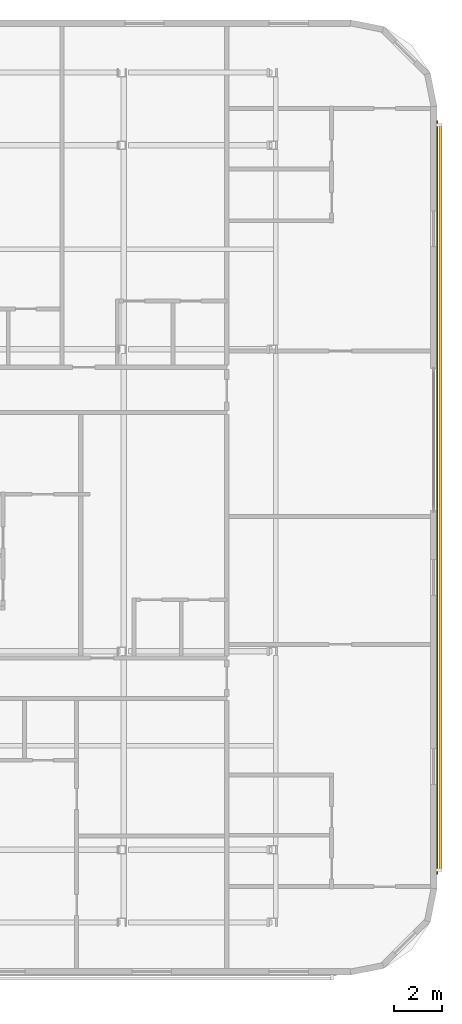
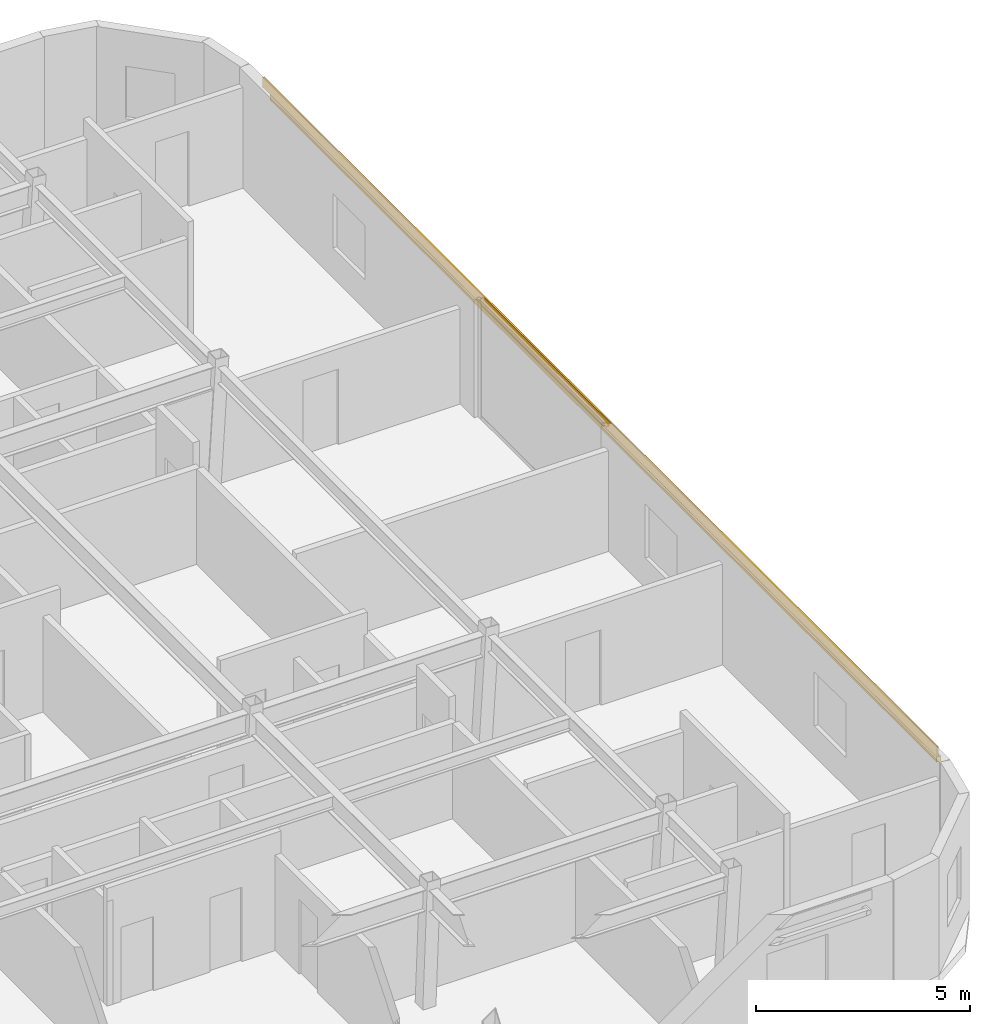
# One storey, part 11 of 11: 1 covering, 1 shading device.
"""IFC4 building model written with IfcOpenShell, lengths in metres."""

from ifc_helpers import new_model, si_unit, direction, frame, origin, origin_2d, place, context, subcontext, project, spatial, rectangle, extrude, material, layer, layer_set, material_profile, profile_set, type_object, element, save


model = new_model("IFC4")

# Units and contexts
model_context = context("Model", 3, precision=1e-05, world=origin(), true_north=direction((0.0, 1.0)))
body_context = subcontext(model_context, "Body", "Model", "MODEL_VIEW")
ifc_project = project(units=[si_unit("LENGTHUNIT", "METRE"), si_unit("AREAUNIT", "SQUARE_METRE"), si_unit("VOLUMEUNIT", "CUBIC_METRE"), si_unit("PLANEANGLEUNIT", "RADIAN"), si_unit("MASSUNIT", "GRAM", prefix="KILO")], contexts=[model_context])

# Site, building, storey
site_placement = place(None, origin())
site = spatial("IfcSite", under=ifc_project, at=site_placement, CompositionType="ELEMENT")
building_placement = place(site_placement, origin())
building = spatial("IfcBuilding", under=site, at=building_placement, Name="Ochreholt Gables", CompositionType="ELEMENT")
storey_placement = place(building_placement, frame((0.0, 0.0, 155.39990234375)))
storey = spatial("IfcBuildingStorey", under=building, at=storey_placement, Name="L40", CompositionType="ELEMENT", Elevation=155.39990234375)

# Covering
ifc_material_1 = material(Name="Glazed Ochre Terracotta Rainscreen Cladding", Category="masonry")
ifc_layer = layer(ifc_material_1, 0.044921875, Name="Glazed Ochre Terracotta Rainscreen Cladding")
ifc_layer_set = layer_set([ifc_layer], Name="Glazed Ochre Terracotta Rainscreen Cladding")
covering_type = type_object("IfcCoveringType", Name="COV-CLAD-TC", PredefinedType="CLADDING", material=ifc_layer_set)
covering_placement = place(storey_placement, frame((58.6201171875, 24.0, 3.06005859375), z_axis=(0.0, 0.0, 1.0), x_axis=(0.0, 1.0, 0.0)))
element("IfcCovering", 1, at=covering_placement, inside=storey, type_object=covering_type, Name="L40 Terracotta Spandrel Cladding East", PredefinedType="CLADDING", context=body_context, shape_type="SweptSolid", body=[
    extrude(rectangle(XDim=31.56005859375, YDim=0.044921875, at=origin_2d()), origin(), (0.0, 0.0, 1.0), 0.280029296875),
])

# Shading device
ifc_material_2 = material(Name="Warm Ochre Glazed Terracotta Baguette", Category="masonry")
ifc_material_profile = material_profile(ifc_material_2, rectangle(XDim=0.110107421875, YDim=0.14990234375, at=origin_2d()), Name="TCBAG110X150")
ifc_profile_set = profile_set([ifc_material_profile], Name="Warm Ochre Glazed Terracotta Baguette")
shading_device_type = type_object("IfcShadingDeviceType", Name="SHD-BAGUETTE", PredefinedType="USERDEFINED", material=ifc_profile_set)
shading_device_placement = place(storey_placement, frame((58.75, 8.39990234375, 2.840087890625), z_axis=(0.0, 1.0, 0.0), x_axis=(-1.0, 0.0, 0.0)))
element("IfcShadingDevice", 2, at=shading_device_placement, inside=storey, type_object=shading_device_type, Name="L40 Terracotta Baguette Screen E-1", ObjectType="BAGUETTE", PredefinedType="USERDEFINED", context=body_context, shape_type="SweptSolid", body=[
    extrude(rectangle(XDim=0.110107421875, YDim=0.14990234375, at=origin_2d()), origin(), (0.0, 0.0, 1.0), 31.2001953125),
])

save(model, "model.ifc")
